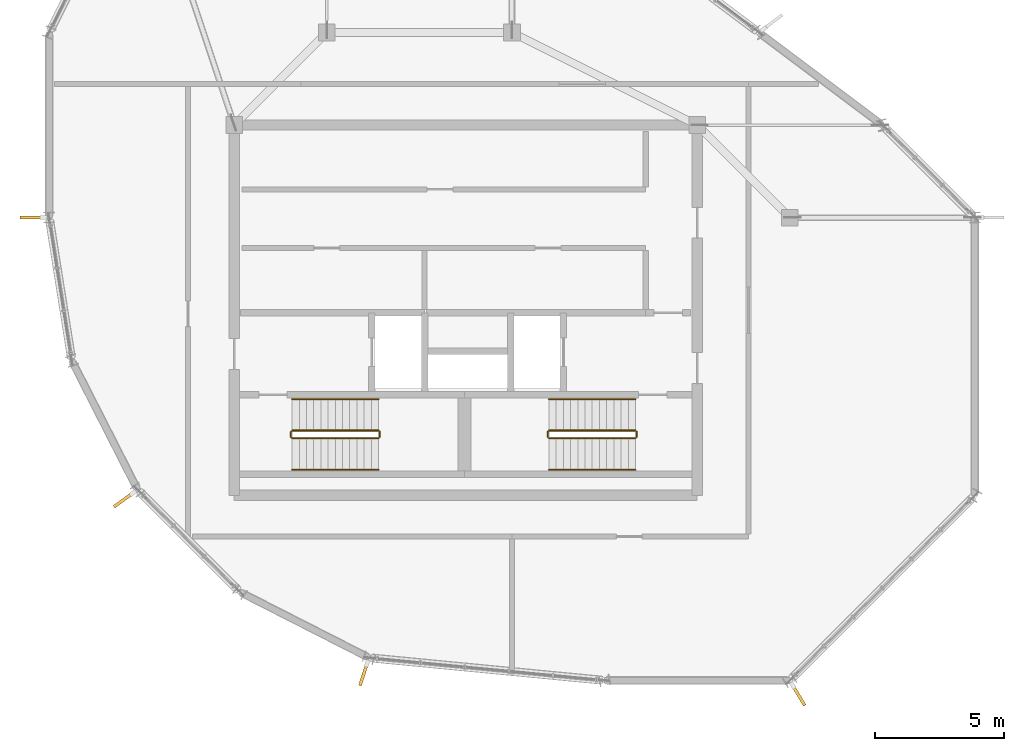
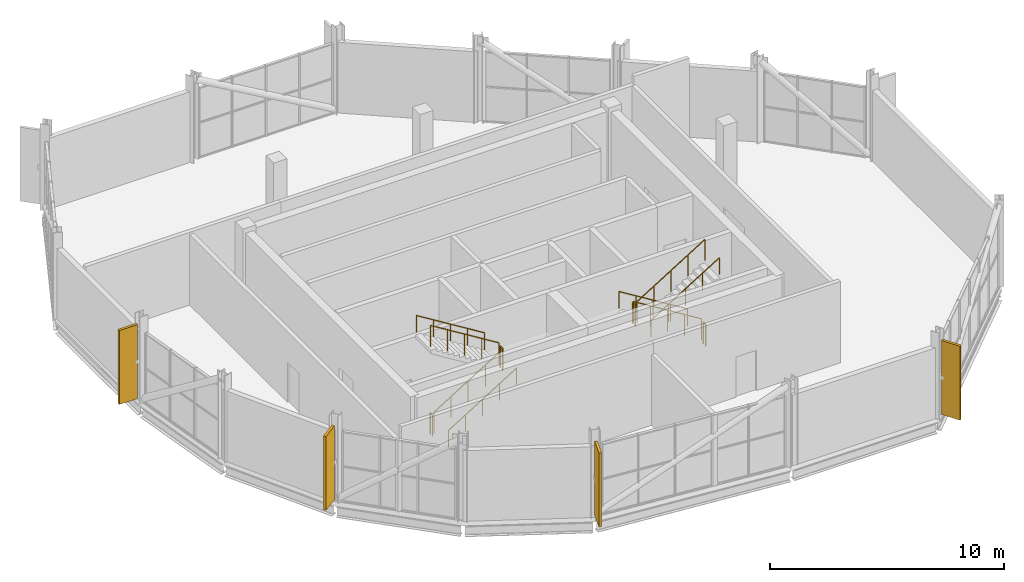
# One storey, part 21 of 22: 12 railings, 4 shading devices.
"""IFC4 building model written with IfcOpenShell, lengths in metres."""

from ifc_helpers import new_model, si_unit, direction, frame, origin, origin_2d, place, context, subcontext, project, spatial, rectangle, circle, extrude, material, type_object, element, save


model = new_model("IFC4")

# Units and contexts
model_context = context("Model", 3, precision=1e-05, world=origin(), true_north=direction((0.0, 1.0)))
body_context = subcontext(model_context, "Body", "Model", "MODEL_VIEW")
ifc_project = project(units=[si_unit("LENGTHUNIT", "METRE"), si_unit("AREAUNIT", "SQUARE_METRE"), si_unit("VOLUMEUNIT", "CUBIC_METRE"), si_unit("PLANEANGLEUNIT", "RADIAN"), si_unit("MASSUNIT", "GRAM", prefix="KILO")], contexts=[model_context])

# Site, building, storey
site_placement = place(None, origin())
site = spatial("IfcSite", under=ifc_project, at=site_placement, CompositionType="ELEMENT")
building_placement = place(site_placement, origin())
building = spatial("IfcBuilding", under=site, at=building_placement, Name="Solnavia Interchange Tower", CompositionType="ELEMENT")
storey_placement = place(building_placement, frame((0.0, 0.0, 308.699951171875)))
storey = spatial("IfcBuildingStorey", under=building, at=storey_placement, Name="C02", CompositionType="ELEMENT", Elevation=308.699951171875)

# Shading devices
ifc_material_1 = material(Name="Anodised Aluminium Fin", Category="aluminium")
shading_device_type = type_object("IfcShadingDeviceType", Name="CrownFin-Alu-900", PredefinedType="USERDEFINED", material=ifc_material_1)
for number, where, z_axis, x_axis, name in (
    (1, (6.52001953125, 21.60009765625, 0.199951171875), (0.0, 0.0, 1.0), (-1.0, 0.0, 0.0), "FIN-C02-F09 Crown ring vertical aerofoil fin"),
    (2, (10.087890625, 10.620361328125, 0.199951171875), (0.0, 0.0, 1.0), (-0.809016994375, -0.587785252292, 0.0), "FIN-C02-F11 Crown ring vertical aerofoil fin"),
    (3, (19.427978515625, 3.834228515625, 0.199951171875), (0.0, 0.0, 1.0), (-0.309016994375, -0.951056516295, 0.0), "FIN-C02-F13 Crown ring vertical aerofoil fin"),
    (4, (36.349853515625, 3.016845703125, 0.199951171875), (0.0, 0.0, 1.0), (0.514439533782, -0.857526656194, 0.0), "FIN-C02-F15 Crown ring vertical aerofoil fin"),
):
    element("IfcShadingDevice", number, at=place(storey_placement, frame(where, z_axis=z_axis, x_axis=x_axis)), inside=storey, type_object=shading_device_type, Name=name, ObjectType="FIN", PredefinedType="USERDEFINED", context=body_context, shape_type="SweptSolid", body=[
        extrude(rectangle(XDim=0.89990234375, YDim=0.1201171875, at=origin_2d()), origin(), (0.0, 0.0, 1.0), 3.85009765625),
    ])

# Railings
ifc_material_2 = material(Name="Painted Steel Balustrade", Category="steel")
railing_type_1 = type_object("IfcRailingType", Name="Railing-StairGuard-1100", PredefinedType="GUARDRAIL", material=ifc_material_2)
railing_1_placement = place(storey_placement, frame((16.64990234375, 13.02001953125, 0.173095703125)))
element("IfcRailing", 5, at=railing_1_placement, inside=storey, type_object=railing_type_1, Name="C02 ST-1 stair guard 1", PredefinedType="GUARDRAIL", context=body_context, shape_type="SweptSolid", body=[
    extrude(circle(Radius=0.02392578125, at=origin_2d()), frame((0.0, 0.0, 1.09619140625), z_axis=(0.850623216509, 0.0, 0.525775754039), x_axis=(0.0, 1.0, 0.0)), (0.0, 0.0, 1.0), 3.9501953125),
    extrude(circle(Radius=0.02099609375, at=origin_2d()), origin(), (0.0, 0.0, 1.0), 1.072021484375),
    extrude(circle(Radius=0.02099609375, at=origin_2d()), frame((0.840087890625, 0.0, 0.519287109375)), (0.0, 0.0, 1.0), 1.072021484375),
    extrude(circle(Radius=0.02099609375, at=origin_2d()), frame((1.68017578125, 0.0, 1.03857421875)), (0.0, 0.0, 1.0), 1.072021484375),
    extrude(circle(Radius=0.02099609375, at=origin_2d()), frame((2.52001953125, 0.0, 1.5576171875)), (0.0, 0.0, 1.0), 1.072021484375),
    extrude(circle(Radius=0.02099609375, at=origin_2d()), frame((3.360107421875, 0.0, 2.076904296875)), (0.0, 0.0, 1.0), 1.072021484375),
])
railing_2_placement = place(storey_placement, frame((20.06005859375, 13.070068359375, 2.25)))
element("IfcRailing", 6, at=railing_2_placement, inside=storey, type_object=railing_type_1, Name="C02 ST-1 stair guard 2", PredefinedType="GUARDRAIL", context=body_context, shape_type="SweptSolid", body=[
    extrude(circle(Radius=0.02392578125, at=origin_2d()), frame((0.0, 0.0, 1.09619140625), z_axis=(0.0, 1.0, 0.0), x_axis=(-1.0, 0.0, 0.0)), (0.0, 0.0, 1.0), 0.199951171875),
    extrude(circle(Radius=0.02099609375, at=origin_2d()), origin(), (0.0, 0.0, 1.0), 1.072021484375),
    extrude(circle(Radius=0.02099609375, at=origin_2d()), frame((0.0, 0.199951171875, 0.0)), (0.0, 0.0, 1.0), 1.072021484375),
])
railing_3_placement = place(storey_placement, frame((20.010009765625, 13.320068359375, 2.423095703125)))
element("IfcRailing", 7, at=railing_3_placement, inside=storey, type_object=railing_type_1, Name="C02 ST-1 stair guard 3", PredefinedType="GUARDRAIL", context=body_context, shape_type="SweptSolid", body=[
    extrude(circle(Radius=0.02392578125, at=origin_2d()), frame((0.0, 0.0, 1.09619140625), z_axis=(-0.850623216509, 0.0, 0.525775754039), x_axis=(0.0, -1.0, 0.0)), (0.0, 0.0, 1.0), 3.9501953125),
    extrude(circle(Radius=0.02099609375, at=origin_2d()), origin(), (0.0, 0.0, 1.0), 1.072021484375),
    extrude(circle(Radius=0.02099609375, at=origin_2d()), frame((-0.840087890625, 0.0, 0.519287109375)), (0.0, 0.0, 1.0), 1.072021484375),
    extrude(circle(Radius=0.02099609375, at=origin_2d()), frame((-1.68017578125, 0.0, 1.03857421875)), (0.0, 0.0, 1.0), 1.072021484375),
    extrude(circle(Radius=0.02099609375, at=origin_2d()), frame((-2.52001953125, 0.0, 1.5576171875)), (0.0, 0.0, 1.0), 1.072021484375),
    extrude(circle(Radius=0.02099609375, at=origin_2d()), frame((-3.360107421875, 0.0, 2.076904296875)), (0.0, 0.0, 1.0), 1.072021484375),
])
railing_4_placement = place(storey_placement, frame((16.60009765625, 13.070068359375, 0.0)))
element("IfcRailing", 8, at=railing_4_placement, inside=storey, type_object=railing_type_1, Name="C02 ST-1 stair guard 4", PredefinedType="GUARDRAIL", context=body_context, shape_type="SweptSolid", body=[
    extrude(circle(Radius=0.02392578125, at=origin_2d()), frame((0.0, 0.0, 1.09619140625), z_axis=(0.0, 1.0, 0.0), x_axis=(-1.0, 0.0, 0.0)), (0.0, 0.0, 1.0), 0.199951171875),
    extrude(circle(Radius=0.02099609375, at=origin_2d()), origin(), (0.0, 0.0, 1.0), 1.072021484375),
    extrude(circle(Radius=0.02099609375, at=origin_2d()), frame((0.0, 0.199951171875, 0.0)), (0.0, 0.0, 1.0), 1.072021484375),
])
railing_5_placement = place(storey_placement, frame((30.0, 13.320068359375, 0.173095703125)))
element("IfcRailing", 9, at=railing_5_placement, inside=storey, type_object=railing_type_1, Name="C02 ST-2 stair guard 1", PredefinedType="GUARDRAIL", context=body_context, shape_type="SweptSolid", body=[
    extrude(circle(Radius=0.02392578125, at=origin_2d()), frame((0.0, 0.0, 1.09619140625), z_axis=(-0.850623216509, 0.0, 0.525775754039), x_axis=(0.0, -1.0, 0.0)), (0.0, 0.0, 1.0), 3.9501953125),
    extrude(circle(Radius=0.02099609375, at=origin_2d()), origin(), (0.0, 0.0, 1.0), 1.072021484375),
    extrude(circle(Radius=0.02099609375, at=origin_2d()), frame((-0.840087890625, 0.0, 0.519287109375)), (0.0, 0.0, 1.0), 1.072021484375),
    extrude(circle(Radius=0.02099609375, at=origin_2d()), frame((-1.68017578125, 0.0, 1.03857421875)), (0.0, 0.0, 1.0), 1.072021484375),
    extrude(circle(Radius=0.02099609375, at=origin_2d()), frame((-2.52001953125, 0.0, 1.5576171875)), (0.0, 0.0, 1.0), 1.072021484375),
    extrude(circle(Radius=0.02099609375, at=origin_2d()), frame((-3.360107421875, 0.0, 2.076904296875)), (0.0, 0.0, 1.0), 1.072021484375),
])
railing_6_placement = place(storey_placement, frame((26.590087890625, 13.27001953125, 2.25)))
element("IfcRailing", 10, at=railing_6_placement, inside=storey, type_object=railing_type_1, Name="C02 ST-2 stair guard 2", PredefinedType="GUARDRAIL", context=body_context, shape_type="SweptSolid", body=[
    extrude(circle(Radius=0.02392578125, at=origin_2d()), frame((0.0, 0.0, 1.09619140625), z_axis=(0.0, -1.0, 0.0), x_axis=(1.0, 0.0, 0.0)), (0.0, 0.0, 1.0), 0.199951171875),
    extrude(circle(Radius=0.02099609375, at=origin_2d()), origin(), (0.0, 0.0, 1.0), 1.072021484375),
    extrude(circle(Radius=0.02099609375, at=origin_2d()), frame((0.0, -0.199951171875, 0.0)), (0.0, 0.0, 1.0), 1.072021484375),
])
railing_7_placement = place(storey_placement, frame((26.639892578125, 13.02001953125, 2.423095703125)))
element("IfcRailing", 11, at=railing_7_placement, inside=storey, type_object=railing_type_1, Name="C02 ST-2 stair guard 3", PredefinedType="GUARDRAIL", context=body_context, shape_type="SweptSolid", body=[
    extrude(circle(Radius=0.02392578125, at=origin_2d()), frame((0.0, 0.0, 1.09619140625), z_axis=(0.850623216509, 0.0, 0.525775754039), x_axis=(0.0, 1.0, 0.0)), (0.0, 0.0, 1.0), 3.9501953125),
    extrude(circle(Radius=0.02099609375, at=origin_2d()), origin(), (0.0, 0.0, 1.0), 1.072021484375),
    extrude(circle(Radius=0.02099609375, at=origin_2d()), frame((0.840087890625, 0.0, 0.519287109375)), (0.0, 0.0, 1.0), 1.072021484375),
    extrude(circle(Radius=0.02099609375, at=origin_2d()), frame((1.68017578125, 0.0, 1.03857421875)), (0.0, 0.0, 1.0), 1.072021484375),
    extrude(circle(Radius=0.02099609375, at=origin_2d()), frame((2.52001953125, 0.0, 1.5576171875)), (0.0, 0.0, 1.0), 1.072021484375),
    extrude(circle(Radius=0.02099609375, at=origin_2d()), frame((3.360107421875, 0.0, 2.076904296875)), (0.0, 0.0, 1.0), 1.072021484375),
])
railing_8_placement = place(storey_placement, frame((30.050048828125, 13.27001953125, 0.0)))
element("IfcRailing", 12, at=railing_8_placement, inside=storey, type_object=railing_type_1, Name="C02 ST-2 stair guard 4", PredefinedType="GUARDRAIL", context=body_context, shape_type="SweptSolid", body=[
    extrude(circle(Radius=0.02392578125, at=origin_2d()), frame((0.0, 0.0, 1.09619140625), z_axis=(0.0, -1.0, 0.0), x_axis=(1.0, 0.0, 0.0)), (0.0, 0.0, 1.0), 0.199951171875),
    extrude(circle(Radius=0.02099609375, at=origin_2d()), origin(), (0.0, 0.0, 1.0), 1.072021484375),
    extrude(circle(Radius=0.02099609375, at=origin_2d()), frame((0.0, -0.199951171875, 0.0)), (0.0, 0.0, 1.0), 1.072021484375),
])
ifc_material_3 = material(Name="Brushed Stainless Steel", Category="steel")
railing_type_2 = type_object("IfcRailingType", Name="Railing-StairHandrail-900", PredefinedType="HANDRAIL", material=ifc_material_3)
railing_9_placement = place(storey_placement, frame((16.64990234375, 11.800048828125, 0.173095703125)))
element("IfcRailing", 13, at=railing_9_placement, inside=storey, type_object=railing_type_2, Name="C02 ST-1 stair handrail 1", PredefinedType="HANDRAIL", context=body_context, shape_type="SweptSolid", body=[
    extrude(circle(Radius=0.02392578125, at=origin_2d()), frame((0.0, 0.0, 0.8759765625), z_axis=(0.850623216509, 0.0, 0.525775754039), x_axis=(0.0, 1.0, 0.0)), (0.0, 0.0, 1.0), 3.9501953125),
    extrude(circle(Radius=0.02099609375, at=origin_2d()), origin(), (0.0, 0.0, 1.0), 0.851806640625),
    extrude(circle(Radius=0.02099609375, at=origin_2d()), frame((0.840087890625, 0.0, 0.519287109375)), (0.0, 0.0, 1.0), 0.851806640625),
    extrude(circle(Radius=0.02099609375, at=origin_2d()), frame((1.68017578125, 0.0, 1.03857421875)), (0.0, 0.0, 1.0), 0.851806640625),
    extrude(circle(Radius=0.02099609375, at=origin_2d()), frame((2.52001953125, 0.0, 1.5576171875)), (0.0, 0.0, 1.0), 0.851806640625),
    extrude(circle(Radius=0.02099609375, at=origin_2d()), frame((3.360107421875, 0.0, 2.076904296875)), (0.0, 0.0, 1.0), 0.851806640625),
])
for number, where, name in (
    (14, (20.010009765625, 14.5400390625, 2.423095703125), "C02 ST-1 stair handrail 2"),
    (15, (30.0, 14.5400390625, 0.173095703125), "C02 ST-2 stair handrail 1"),
):
    element("IfcRailing", number, at=place(storey_placement, frame(where)), inside=storey, type_object=railing_type_2, Name=name, PredefinedType="HANDRAIL", context=body_context, shape_type="SweptSolid", body=[
        extrude(circle(Radius=0.02392578125, at=origin_2d()), frame((0.0, 0.0, 0.8759765625), z_axis=(-0.850623216509, 0.0, 0.525775754039), x_axis=(0.0, -1.0, 0.0)), (0.0, 0.0, 1.0), 3.9501953125),
        extrude(circle(Radius=0.02099609375, at=origin_2d()), origin(), (0.0, 0.0, 1.0), 0.851806640625),
        extrude(circle(Radius=0.02099609375, at=origin_2d()), frame((-0.840087890625, 0.0, 0.519287109375)), (0.0, 0.0, 1.0), 0.851806640625),
        extrude(circle(Radius=0.02099609375, at=origin_2d()), frame((-1.68017578125, 0.0, 1.03857421875)), (0.0, 0.0, 1.0), 0.851806640625),
        extrude(circle(Radius=0.02099609375, at=origin_2d()), frame((-2.52001953125, 0.0, 1.5576171875)), (0.0, 0.0, 1.0), 0.851806640625),
        extrude(circle(Radius=0.02099609375, at=origin_2d()), frame((-3.360107421875, 0.0, 2.076904296875)), (0.0, 0.0, 1.0), 0.851806640625),
    ])
railing_10_placement = place(storey_placement, frame((26.639892578125, 11.800048828125, 2.423095703125)))
element("IfcRailing", 16, at=railing_10_placement, inside=storey, type_object=railing_type_2, Name="C02 ST-2 stair handrail 2", PredefinedType="HANDRAIL", context=body_context, shape_type="SweptSolid", body=[
    extrude(circle(Radius=0.02392578125, at=origin_2d()), frame((0.0, 0.0, 0.8759765625), z_axis=(0.850623216509, 0.0, 0.525775754039), x_axis=(0.0, 1.0, 0.0)), (0.0, 0.0, 1.0), 3.9501953125),
    extrude(circle(Radius=0.02099609375, at=origin_2d()), origin(), (0.0, 0.0, 1.0), 0.851806640625),
    extrude(circle(Radius=0.02099609375, at=origin_2d()), frame((0.840087890625, 0.0, 0.519287109375)), (0.0, 0.0, 1.0), 0.851806640625),
    extrude(circle(Radius=0.02099609375, at=origin_2d()), frame((1.68017578125, 0.0, 1.03857421875)), (0.0, 0.0, 1.0), 0.851806640625),
    extrude(circle(Radius=0.02099609375, at=origin_2d()), frame((2.52001953125, 0.0, 1.5576171875)), (0.0, 0.0, 1.0), 0.851806640625),
    extrude(circle(Radius=0.02099609375, at=origin_2d()), frame((3.360107421875, 0.0, 2.076904296875)), (0.0, 0.0, 1.0), 0.851806640625),
])

save(model, "model.ifc")
